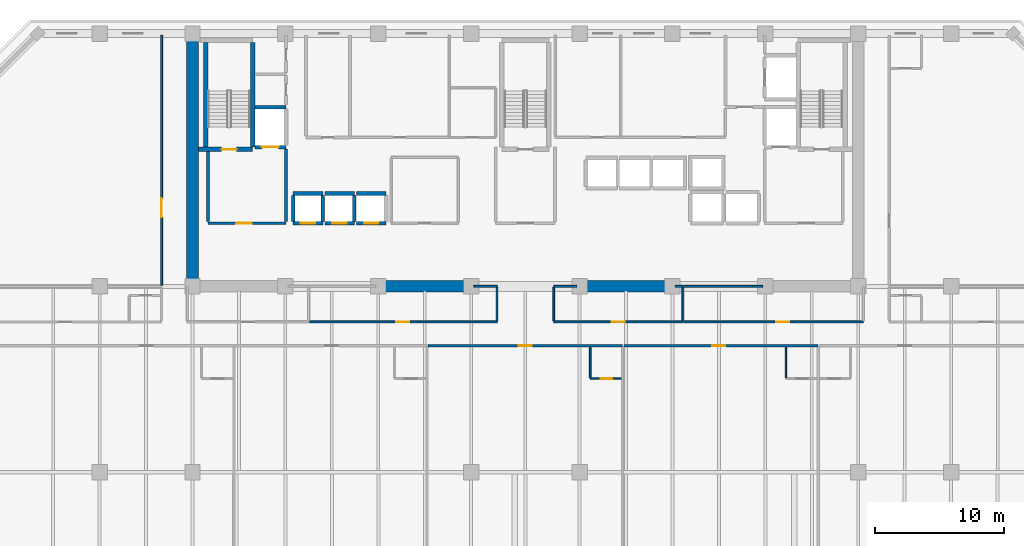
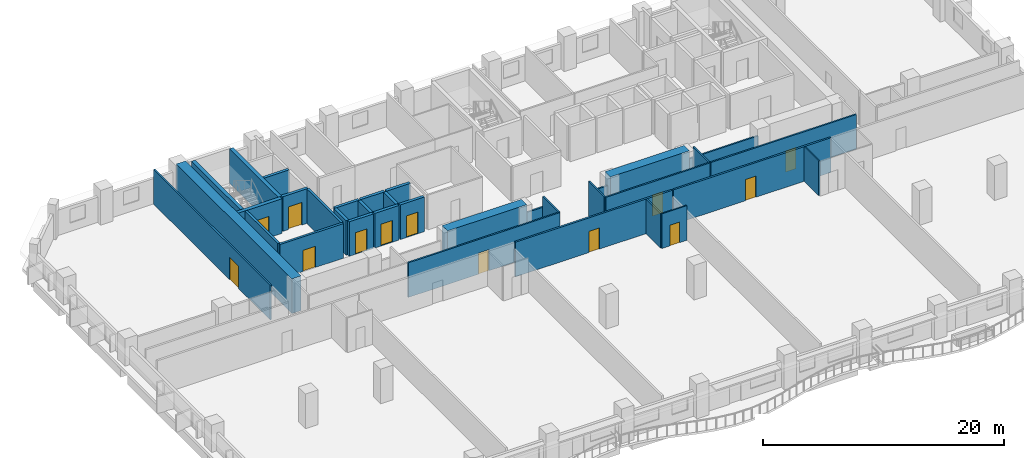
# One storey, part 6 of 14: 36 walls, 13 doors, 13 openings.
"""IFC4 building model written with IfcOpenShell, lengths in metres."""

from ifc_helpers import new_model, si_unit, direction, frame, frame_2d, origin, place, context, subcontext, project, spatial, rectangle, extrude, material, layer, layer_set, type_object, element, fill, save


model = new_model("IFC4")

# Units and contexts
model_context = context("Model", 3, precision=1e-05, world=origin(), true_north=direction((0.0, 1.0)))
body_context = subcontext(model_context, "Body", "Model", "MODEL_VIEW")
ifc_project = project(units=[si_unit("LENGTHUNIT", "METRE"), si_unit("AREAUNIT", "SQUARE_METRE"), si_unit("VOLUMEUNIT", "CUBIC_METRE"), si_unit("PLANEANGLEUNIT", "RADIAN"), si_unit("MASSUNIT", "GRAM", prefix="KILO")], contexts=[model_context])

# Site, building, storey
site_placement = place(None, origin())
site = spatial("IfcSite", under=ifc_project, at=site_placement, CompositionType="ELEMENT")
building_placement = place(site_placement, origin())
building = spatial("IfcBuilding", under=site, at=building_placement, Name="Kaelvorn Grand Hotel", CompositionType="ELEMENT")
storey_placement = place(building_placement, frame((0.0, 0.0, 123.050048828125)))
storey = spatial("IfcBuildingStorey", under=building, at=storey_placement, Name="L29", CompositionType="ELEMENT", Elevation=123.050048828125)

# Walls
ifc_material_1 = material(Name="Concrete C60/75", Category="concrete")
ifc_layer_1 = layer(ifc_material_1, 0.89990234375)
ifc_layer_set_1 = layer_set([ifc_layer_1], Name="Concrete C60/75")
wall_type_1 = type_object("IfcWallType", Name="WL-CORE-900-C60", PredefinedType="SHEAR", material=ifc_layer_set_1)
wall_1_placement = place(storey_placement, frame((16.199951171875, 29.39990234375, 0.0), z_axis=(0.0, 0.0, 1.0), x_axis=(0.0, 1.0, 0.0)))
element("IfcWall", 1, at=wall_1_placement, inside=storey, type_object=wall_type_1, Name="L29 Rear-Core West Shear Wall", PredefinedType="SHEAR", context=body_context, shape_type="SweptSolid", body=[
    extrude(rectangle(XDim=19.2001953125, YDim=0.89990234375, at=frame_2d((9.60009765625, 0.0))), origin(), (0.0, 0.0, 1.0), 3.510009765625),
])
for number, where, z_axis, x_axis, name in (
    (2, (30.39990234375, 29.39990234375, 0.0), (0.0, 0.0, 1.0), (1.0, 0.0, 0.0), "L29 Rear-Core Coupled Shear Pier S2"),
    (3, (46.0, 29.39990234375, 0.0), (0.0, 0.0, 1.0), (1.0, 0.0, 0.0), "L29 Rear-Core Coupled Shear Pier S3"),
):
    element("IfcWall", number, at=place(storey_placement, frame(where, z_axis=z_axis, x_axis=x_axis)), inside=storey, type_object=wall_type_1, Name=name, PredefinedType="SHEAR", context=body_context, shape_type="SweptSolid", body=[
        extrude(rectangle(XDim=7.60009765625, YDim=0.89990234375, at=frame_2d((3.800048828125, 0.0))), origin(), (0.0, 0.0, 1.0), 3.510009765625),
    ])

# Wall, opening, door
ifc_material_2 = material(Name="Moisture-Resistant Tile & Stud Board")
ifc_layer_2 = layer(ifc_material_2, 0.125)
ifc_layer_set_2 = layer_set([ifc_layer_2], Name="Moisture-Resistant Tile & Stud Board")
wall_type_2 = type_object("IfcWallType", Name="WL-PART-125-WET", PredefinedType="PARTITIONING", material=ifc_layer_set_2)
wall_2_placement = place(storey_placement, frame((47.030029296875, 22.25, 0.0), z_axis=(0.0, 0.0, 1.0), x_axis=(1.0, 0.0, 0.0)))
wall_2 = element("IfcWall", 4, at=wall_2_placement, inside=storey, type_object=wall_type_2, Name="L29 En-suite Bathroom L29-03 S Partition", PredefinedType="PARTITIONING", context=body_context, shape_type="SweptSolid", body=[
    extrude(rectangle(XDim=2.405029296875, YDim=0.125, at=frame_2d((1.20263671875, 0.0))), origin(), (0.0, 0.0, 1.0), 3.510009765625),
])
opening_1_placement = place(wall_2_placement, frame((0.800048828125, 0.0, 0.0)))
opening_1 = element("IfcOpeningElement", 5, at=opening_1_placement, cuts=wall_2, Name="Opening DI4", PredefinedType="OPENING", context=body_context, shape_type="SweptSolid", body=[
    extrude(rectangle(XDim=0.89990234375, YDim=2.10009765625, at=frame_2d((0.449951171875, 1.050048828125))), frame((0.0, 0.072509765625, 0.0), z_axis=(0.0, -1.0, 0.0), x_axis=(1.0, 0.0, 0.0)), (0.0, 0.0, 1.0), 0.14501953125),
])
ifc_material_3 = material(Name="Timber Veneer Leaf", Category="wood")
door_type_1 = type_object("IfcDoorType", Name="DR-INT-BATH-900x2100", OperationType="NOTDEFINED", PredefinedType="DOOR", material=ifc_material_3)
door_1_placement = place(opening_1_placement, origin())
door_1 = element("IfcDoor", 6, at=door_1_placement, inside=storey, type_object=door_type_1, Name="L29 En-suite Bathroom L29-03 Door", OperationType="SINGLE_SWING_LEFT", OverallHeight=2.10009765625, OverallWidth=0.89990234375, PredefinedType="DOOR", context=body_context, shape_type="SweptSolid", body=[
    extrude(rectangle(XDim=0.89990234375, YDim=2.10009765625, at=frame_2d((0.449951171875, 1.050048828125))), frame((0.0, 0.02490234375, 0.0), z_axis=(0.0, -1.0, 0.0), x_axis=(1.0, 0.0, 0.0)), (0.0, 0.0, 1.0), 0.050048828125),
])
fill(opening_1, door_1)

# Walls
for number, where, z_axis, x_axis, name in (
    (7, (47.030029296875, 22.3173828125, 0.0), (0.0, 0.0, 1.0), (0.0, 1.0, 0.0), "L29 En-suite Bathroom L29-03 W Partition"),
    (8, (62.190673828125, 22.3173828125, 0.0), (0.0, 0.0, 1.0), (0.0, 1.0, 0.0), "L29 En-suite Bathroom L29-04 W Partition"),
):
    element("IfcWall", number, at=place(storey_placement, frame(where, z_axis=z_axis, x_axis=x_axis)), inside=storey, type_object=wall_type_2, Name=name, PredefinedType="PARTITIONING", context=body_context, shape_type="SweptSolid", body=[
        extrude(rectangle(XDim=2.3876953125, YDim=0.125, at=frame_2d((1.19384765625, 0.0))), origin(), (0.0, 0.0, 1.0), 3.510009765625),
    ])

# Wall, opening, door
ifc_material_4 = material(Name="Acoustic Gypsum & Stud Partition")
ifc_layer_3 = layer(ifc_material_4, 0.14990234375)
ifc_layer_set_3 = layer_set([ifc_layer_3], Name="Acoustic Gypsum & Stud Partition")
wall_type_3 = type_object("IfcWallType", Name="WL-PART-150-EI60", PredefinedType="PARTITIONING", material=ifc_layer_set_3)
wall_3_placement = place(storey_placement, frame((25.280029296875, 26.64990234375, 0.0), z_axis=(0.0, 0.0, 1.0), x_axis=(1.0, 0.0, 0.0)))
wall_3 = element("IfcWall", 9, at=wall_3_placement, inside=storey, type_object=wall_type_3, Name="L29 Banquet Prep Kitchen S Partition", PredefinedType="PARTITIONING", context=body_context, shape_type="SweptSolid", body=[
    extrude(rectangle(XDim=14.52001953125, YDim=0.14990234375, at=frame_2d((7.260009765625, 0.0))), origin(), (0.0, 0.0, 1.0), 3.510009765625),
])
opening_2_placement = place(wall_3_placement, frame((6.719970703125, 0.0, 0.0)))
opening_2 = element("IfcOpeningElement", 10, at=opening_2_placement, cuts=wall_3, Name="Opening DI3", PredefinedType="OPENING", context=body_context, shape_type="SweptSolid", body=[
    extrude(rectangle(XDim=1.0, YDim=2.14990234375, at=frame_2d((0.5, 1.074951171875))), frame((0.0, 0.0849609375, 0.0), z_axis=(0.0, -1.0, 0.0), x_axis=(1.0, 0.0, 0.0)), (0.0, 0.0, 1.0), 0.169921875),
])
ifc_material_5 = material(Name="Timber Veneer Fire Leaf", Category="wood")
door_type_2 = type_object("IfcDoorType", Name="DR-INT-GUEST-1000x2150", OperationType="NOTDEFINED", PredefinedType="DOOR", material=ifc_material_5)
door_2_placement = place(opening_2_placement, origin())
door_2 = element("IfcDoor", 11, at=door_2_placement, inside=storey, type_object=door_type_2, Name="L29 Banquet Prep Kitchen Door", OperationType="SINGLE_SWING_LEFT", OverallHeight=2.14990234375, OverallWidth=1.0, PredefinedType="DOOR", context=body_context, shape_type="SweptSolid", body=[
    extrude(rectangle(XDim=1.0, YDim=2.14990234375, at=frame_2d((0.5, 1.074951171875))), frame((0.0, 0.02490234375, 0.0), z_axis=(0.0, -1.0, 0.0), x_axis=(1.0, 0.0, 0.0)), (0.0, 0.0, 1.0), 0.050048828125),
])
fill(opening_2, door_2)

# Walls
wall_4_placement = place(storey_placement, frame((38.010009765625, 29.39990234375, 0.0), z_axis=(0.0, 0.0, 1.0), x_axis=(1.0, 0.0, 0.0)))
element("IfcWall", 12, at=wall_4_placement, inside=storey, type_object=wall_type_3, Name="L29 Banquet Prep Kitchen N Partition (2)", PredefinedType="PARTITIONING", context=body_context, shape_type="SweptSolid", body=[
    extrude(rectangle(XDim=1.7900390625, YDim=0.14990234375, at=frame_2d((0.89501953125, 0.0))), origin(), (0.0, 0.0, 1.0), 2.409912109375),
])
wall_5_placement = place(storey_placement, frame((39.800048828125, 26.72998046875, 0.0), z_axis=(0.0, 0.0, 1.0), x_axis=(0.0, 1.0, 0.0)))
element("IfcWall", 13, at=wall_5_placement, inside=storey, type_object=wall_type_3, Name="L29 Banquet Prep Kitchen E Partition", PredefinedType="PARTITIONING", context=body_context, shape_type="SweptSolid", body=[
    extrude(rectangle(XDim=2.590087890625, YDim=0.14990234375, at=frame_2d((1.294921875, 0.0))), origin(), (0.0, 0.0, 1.0), 3.510009765625),
])

# Wall, opening, door
wall_6_placement = place(storey_placement, frame((44.199951171875, 26.64990234375, 0.0), z_axis=(0.0, 0.0, 1.0), x_axis=(1.0, 0.0, 0.0)))
wall_6 = element("IfcWall", 14, at=wall_6_placement, inside=storey, type_object=wall_type_3, Name="L29 Board Meeting Room S Partition", PredefinedType="PARTITIONING", context=body_context, shape_type="SweptSolid", body=[
    extrude(rectangle(XDim=10.0, YDim=0.14990234375, at=frame_2d((5.0, 0.0))), origin(), (0.0, 0.0, 1.0), 3.510009765625),
])
opening_3_placement = place(wall_6_placement, frame((4.5, 0.0, 0.0)))
opening_3 = element("IfcOpeningElement", 15, at=opening_3_placement, cuts=wall_6, Name="Opening DI3", PredefinedType="OPENING", context=body_context, shape_type="SweptSolid", body=[
    extrude(rectangle(XDim=1.0, YDim=2.14990234375, at=frame_2d((0.5, 1.074951171875))), frame((0.0, 0.0849609375, 0.0), z_axis=(0.0, -1.0, 0.0), x_axis=(1.0, 0.0, 0.0)), (0.0, 0.0, 1.0), 0.169921875),
])
door_3_placement = place(opening_3_placement, origin())
door_3 = element("IfcDoor", 16, at=door_3_placement, inside=storey, type_object=door_type_2, Name="L29 Board Meeting Room Door", OperationType="SINGLE_SWING_RIGHT", OverallHeight=2.14990234375, OverallWidth=1.0, PredefinedType="DOOR", context=body_context, shape_type="SweptSolid", body=[
    extrude(rectangle(XDim=1.0, YDim=2.14990234375, at=frame_2d((0.5, 1.074951171875))), frame((0.0, 0.02490234375, 0.0), z_axis=(0.0, -1.0, 0.0), x_axis=(1.0, 0.0, 0.0)), (0.0, 0.0, 1.0), 0.050048828125),
])
fill(opening_3, door_3)

# Walls
wall_7_placement = place(storey_placement, frame((44.199951171875, 29.39990234375, 0.0), z_axis=(0.0, 0.0, 1.0), x_axis=(1.0, 0.0, 0.0)))
element("IfcWall", 17, at=wall_7_placement, inside=storey, type_object=wall_type_3, Name="L29 Board Meeting Room N Partition (1)", PredefinedType="PARTITIONING", context=body_context, shape_type="SweptSolid", body=[
    extrude(rectangle(XDim=1.7900390625, YDim=0.14990234375, at=frame_2d((0.89501953125, 0.0))), origin(), (0.0, 0.0, 1.0), 2.409912109375),
])
wall_8_placement = place(storey_placement, frame((53.610107421875, 29.39990234375, 0.0), z_axis=(0.0, 0.0, 1.0), x_axis=(1.0, 0.0, 0.0)))
element("IfcWall", 18, at=wall_8_placement, inside=storey, type_object=wall_type_3, Name="L29 Board Meeting Room N Partition (2)", PredefinedType="PARTITIONING", context=body_context, shape_type="SweptSolid", body=[
    extrude(rectangle(XDim=0.58984375, YDim=0.14990234375, at=frame_2d((0.294921875, 0.0))), origin(), (0.0, 0.0, 1.0), 2.409912109375),
])
for number, where, z_axis, x_axis, name in (
    (19, (44.199951171875, 26.72998046875, 0.0), (0.0, 0.0, 1.0), (0.0, 1.0, 0.0), "L29 Board Meeting Room W Partition"),
    (20, (54.199951171875, 26.72998046875, 0.0), (0.0, 0.0, 1.0), (0.0, 1.0, 0.0), "L29 Board Meeting Room E Partition"),
):
    element("IfcWall", number, at=place(storey_placement, frame(where, z_axis=z_axis, x_axis=x_axis)), inside=storey, type_object=wall_type_3, Name=name, PredefinedType="PARTITIONING", context=body_context, shape_type="SweptSolid", body=[
        extrude(rectangle(XDim=2.590087890625, YDim=0.14990234375, at=frame_2d((1.294921875, 0.0))), origin(), (0.0, 0.0, 1.0), 3.510009765625),
    ])

# Wall, opening, door
wall_9_placement = place(storey_placement, frame((54.280029296875, 26.64990234375, 0.0), z_axis=(0.0, 0.0, 1.0), x_axis=(1.0, 0.0, 0.0)))
wall_9 = element("IfcWall", 21, at=wall_9_placement, inside=storey, type_object=wall_type_3, Name="L29 Diplomatic Chancery Office S Partition", PredefinedType="PARTITIONING", context=body_context, shape_type="SweptSolid", body=[
    extrude(rectangle(XDim=13.919921875, YDim=0.14990234375, at=frame_2d((6.9599609375, 0.0))), origin(), (0.0, 0.0, 1.0), 3.510009765625),
])
opening_4_placement = place(wall_9_placement, frame((7.169921875, 0.0, 0.0)))
opening_4 = element("IfcOpeningElement", 22, at=opening_4_placement, cuts=wall_9, Name="Opening DI3", PredefinedType="OPENING", context=body_context, shape_type="SweptSolid", body=[
    extrude(rectangle(XDim=1.0, YDim=2.14990234375, at=frame_2d((0.5, 1.074951171875))), frame((0.0, 0.0849609375, 0.0), z_axis=(0.0, -1.0, 0.0), x_axis=(1.0, 0.0, 0.0)), (0.0, 0.0, 1.0), 0.169921875),
])
door_4_placement = place(opening_4_placement, origin())
door_4 = element("IfcDoor", 23, at=door_4_placement, inside=storey, type_object=door_type_2, Name="L29 Diplomatic Chancery Office Door", OperationType="SINGLE_SWING_LEFT", OverallHeight=2.14990234375, OverallWidth=1.0, PredefinedType="DOOR", context=body_context, shape_type="SweptSolid", body=[
    extrude(rectangle(XDim=1.0, YDim=2.14990234375, at=frame_2d((0.5, 1.074951171875))), frame((0.0, 0.02490234375, 0.0), z_axis=(0.0, -1.0, 0.0), x_axis=(1.0, 0.0, 0.0)), (0.0, 0.0, 1.0), 0.050048828125),
])
fill(opening_4, door_4)

# Wall
wall_10_placement = place(storey_placement, frame((54.280029296875, 29.39990234375, 0.0), z_axis=(0.0, 0.0, 1.0), x_axis=(1.0, 0.0, 0.0)))
element("IfcWall", 24, at=wall_10_placement, inside=storey, type_object=wall_type_3, Name="L29 Diplomatic Chancery Office N Partition", PredefinedType="PARTITIONING", context=body_context, shape_type="SweptSolid", body=[
    extrude(rectangle(XDim=6.10986328125, YDim=0.14990234375, at=frame_2d((3.054931640625, 0.0))), origin(), (0.0, 0.0, 1.0), 2.409912109375),
])

# Wall, opening, door
wall_11_placement = place(storey_placement, frame((13.800048828125, 29.4951171875, 0.0), z_axis=(0.0, 0.0, 1.0), x_axis=(0.0, 1.0, 0.0)))
wall_11 = element("IfcWall", 25, at=wall_11_placement, inside=storey, type_object=wall_type_3, Name="L29 North-West Board Meeting Room E Partition", PredefinedType="PARTITIONING", context=body_context, shape_type="SweptSolid", body=[
    extrude(rectangle(XDim=19.35498046875, YDim=0.14990234375, at=frame_2d((9.677490234375, 0.0))), origin(), (0.0, 0.0, 1.0), 3.510009765625),
])
opening_5_placement = place(wall_11_placement, frame((5.2548828125, 0.0, 0.0)))
opening_5 = element("IfcOpeningElement", 26, at=opening_5_placement, cuts=wall_11, Name="Opening DI5", PredefinedType="OPENING", context=body_context, shape_type="SweptSolid", body=[
    extrude(rectangle(XDim=1.5, YDim=2.25, at=frame_2d((0.75, 1.125))), frame((0.0, 0.0849609375, 0.0), z_axis=(0.0, -1.0, 0.0), x_axis=(1.0, 0.0, 0.0)), (0.0, 0.0, 1.0), 0.169921875),
])
door_type_3 = type_object("IfcDoorType", Name="DR-INT-SALON-1500x2250", OperationType="DOUBLE_DOOR_SINGLE_SWING", PredefinedType="DOOR", material=ifc_material_5)
door_5_placement = place(opening_5_placement, origin())
door_5 = element("IfcDoor", 27, at=door_5_placement, inside=storey, type_object=door_type_3, Name="L29 North-West Board Meeting Room Door", OperationType="DOUBLE_DOOR_SINGLE_SWING", OverallHeight=2.25, OverallWidth=1.5, PredefinedType="DOOR", context=body_context, shape_type="SweptSolid", body=[
    extrude(rectangle(XDim=1.5, YDim=2.25, at=frame_2d((0.75, 1.125))), frame((0.0, 0.02490234375, 0.0), z_axis=(0.0, -1.0, 0.0), x_axis=(1.0, 0.0, 0.0)), (0.0, 0.0, 1.0), 0.050048828125),
])
fill(opening_5, door_5)

ifc_layer_4 = layer(ifc_material_4, 0.179931640625)
ifc_layer_set_4 = layer_set([ifc_layer_4], Name="Acoustic Gypsum & Stud Partition")
wall_type_4 = type_object("IfcWallType", Name="WL-PART-180-EI60", PredefinedType="PARTITIONING", material=ifc_layer_set_4)
wall_12_placement = place(storey_placement, frame((34.464599609375, 24.800048828125, 0.0), z_axis=(0.0, 0.0, 1.0), x_axis=(1.0, 0.0, 0.0)))
wall_12 = element("IfcWall", 28, at=wall_12_placement, inside=storey, type_object=wall_type_4, Name="L29 Presidential Sky Suite L29-03 N Partition", PredefinedType="PARTITIONING", context=body_context, shape_type="SweptSolid", body=[
    extrude(rectangle(XDim=15.0654296875, YDim=0.179931640625, at=frame_2d((7.53271484375, 0.0))), origin(), (0.0, 0.0, 1.0), 3.510009765625),
])
opening_6_placement = place(wall_12_placement, frame((7.035400390625, 0.0, 0.0)))
opening_6 = element("IfcOpeningElement", 29, at=opening_6_placement, cuts=wall_12, Name="Opening DI3", PredefinedType="OPENING", context=body_context, shape_type="SweptSolid", body=[
    extrude(rectangle(XDim=1.0, YDim=2.14990234375, at=frame_2d((0.5, 1.074951171875))), frame((0.0, 0.10009765625, 0.0), z_axis=(0.0, -1.0, 0.0), x_axis=(1.0, 0.0, 0.0)), (0.0, 0.0, 1.0), 0.199951171875),
])
door_6_placement = place(opening_6_placement, origin())
door_6 = element("IfcDoor", 30, at=door_6_placement, inside=storey, type_object=door_type_2, Name="L29 Presidential Sky Suite L29-03 Door", OperationType="SINGLE_SWING_RIGHT", OverallHeight=2.14990234375, OverallWidth=1.0, PredefinedType="DOOR", context=body_context, shape_type="SweptSolid", body=[
    extrude(rectangle(XDim=1.0, YDim=2.14990234375, at=frame_2d((0.5, 1.074951171875))), frame((0.0, 0.02490234375, 0.0), z_axis=(0.0, -1.0, 0.0), x_axis=(1.0, 0.0, 0.0)), (0.0, 0.0, 1.0), 0.050048828125),
])
fill(opening_6, door_6)

wall_13_placement = place(storey_placement, frame((49.625, 24.800048828125, 0.0), z_axis=(0.0, 0.0, 1.0), x_axis=(1.0, 0.0, 0.0)))
wall_13 = element("IfcWall", 31, at=wall_13_placement, inside=storey, type_object=wall_type_4, Name="L29 Presidential Sky Suite L29-04 N Partition", PredefinedType="PARTITIONING", context=body_context, shape_type="SweptSolid", body=[
    extrude(rectangle(XDim=15.065673828125, YDim=0.179931640625, at=frame_2d((7.53271484375, 0.0))), origin(), (0.0, 0.0, 1.0), 3.510009765625),
])
opening_7_placement = place(wall_13_placement, frame((6.875, 0.0, 0.0)))
opening_7 = element("IfcOpeningElement", 32, at=opening_7_placement, cuts=wall_13, Name="Opening DI3", PredefinedType="OPENING", context=body_context, shape_type="SweptSolid", body=[
    extrude(rectangle(XDim=1.0, YDim=2.14990234375, at=frame_2d((0.5, 1.074951171875))), frame((0.0, 0.10009765625, 0.0), z_axis=(0.0, -1.0, 0.0), x_axis=(1.0, 0.0, 0.0)), (0.0, 0.0, 1.0), 0.199951171875),
])
door_7_placement = place(opening_7_placement, origin())
door_7 = element("IfcDoor", 33, at=door_7_placement, inside=storey, type_object=door_type_2, Name="L29 Presidential Sky Suite L29-04 Door", OperationType="SINGLE_SWING_RIGHT", OverallHeight=2.14990234375, OverallWidth=1.0, PredefinedType="DOOR", context=body_context, shape_type="SweptSolid", body=[
    extrude(rectangle(XDim=1.0, YDim=2.14990234375, at=frame_2d((0.5, 1.074951171875))), frame((0.0, 0.02490234375, 0.0), z_axis=(0.0, -1.0, 0.0), x_axis=(1.0, 0.0, 0.0)), (0.0, 0.0, 1.0), 0.050048828125),
])
fill(opening_7, door_7)

ifc_material_6 = material(Name="Concrete C40/50", Category="concrete")
ifc_layer_5 = layer(ifc_material_6, 0.219970703125)
ifc_layer_set_5 = layer_set([ifc_layer_5], Name="Concrete C40/50")
wall_type_5 = type_object("IfcWallType", Name="WL-PART-220-EI120", PredefinedType="PARTITIONING", material=ifc_layer_set_5)
wall_14_placement = place(storey_placement, frame((17.39990234375, 34.300048828125, 0.0), z_axis=(0.0, 0.0, 1.0), x_axis=(1.0, 0.0, 0.0)))
wall_14 = element("IfcWall", 34, at=wall_14_placement, inside=storey, type_object=wall_type_5, Name="L29 Firefighting Lift Lobby 1 S Partition", PredefinedType="PARTITIONING", context=body_context, shape_type="SweptSolid", body=[
    extrude(rectangle(XDim=6.050048828125, YDim=0.219970703125, at=frame_2d((3.02490234375, 0.0))), origin(), (0.0, 0.0, 1.0), 3.510009765625),
])
opening_8_placement = place(wall_14_placement, frame((2.199951171875, 0.0, 0.0)))
opening_8 = element("IfcOpeningElement", 35, at=opening_8_placement, cuts=wall_14, Name="Opening DI2", PredefinedType="OPENING", context=body_context, shape_type="SweptSolid", body=[
    extrude(rectangle(XDim=1.199951171875, YDim=2.14990234375, at=frame_2d((0.60009765625, 1.074951171875))), frame((0.0, 0.1201171875, 0.0), z_axis=(0.0, -1.0, 0.0), x_axis=(1.0, 0.0, 0.0)), (0.0, 0.0, 1.0), 0.239990234375),
])
door_type_4 = type_object("IfcDoorType", Name="DR-INT-FFLOB-1200x2150", OperationType="NOTDEFINED", PredefinedType="DOOR", material=ifc_material_5)
door_8_placement = place(opening_8_placement, origin())
door_8 = element("IfcDoor", 36, at=door_8_placement, inside=storey, type_object=door_type_4, Name="L29 Firefighting Lift Lobby 1 Door", OperationType="SINGLE_SWING_RIGHT", OverallHeight=2.14990234375, OverallWidth=1.199951171875, PredefinedType="DOOR", context=body_context, shape_type="SweptSolid", body=[
    extrude(rectangle(XDim=1.199951171875, YDim=2.14990234375, at=frame_2d((0.60009765625, 1.074951171875))), frame((0.0, 0.02490234375, 0.0), z_axis=(0.0, -1.0, 0.0), x_axis=(1.0, 0.0, 0.0)), (0.0, 0.0, 1.0), 0.050048828125),
])
fill(opening_8, door_8)

# Walls
wall_15_placement = place(storey_placement, frame((17.39990234375, 34.4150390625, 0.0), z_axis=(0.0, 0.0, 1.0), x_axis=(0.0, 1.0, 0.0)))
element("IfcWall", 37, at=wall_15_placement, inside=storey, type_object=wall_type_5, Name="L29 Firefighting Lift Lobby 1 W Partition", PredefinedType="PARTITIONING", context=body_context, shape_type="SweptSolid", body=[
    extrude(rectangle(XDim=5.429931640625, YDim=0.219970703125, at=frame_2d((2.71484375, 0.0))), origin(), (0.0, 0.0, 1.0), 3.510009765625),
])
wall_16_placement = place(storey_placement, frame((23.449951171875, 34.4150390625, 0.0), z_axis=(0.0, 0.0, 1.0), x_axis=(0.0, 1.0, 0.0)))
element("IfcWall", 38, at=wall_16_placement, inside=storey, type_object=wall_type_5, Name="L29 Firefighting Lift Lobby 1 E Partition", PredefinedType="PARTITIONING", context=body_context, shape_type="SweptSolid", body=[
    extrude(rectangle(XDim=5.639892578125, YDim=0.219970703125, at=frame_2d((2.81982421875, 0.0))), origin(), (0.0, 0.0, 1.0), 3.510009765625),
])

# Wall, opening, door
ifc_material_7 = material(Name="Concrete C50/60", Category="concrete")
ifc_layer_6 = layer(ifc_material_7, 0.280029296875)
ifc_layer_set_6 = layer_set([ifc_layer_6], Name="Concrete C50/60")
wall_type_6 = type_object("IfcWallType", Name="WL-SHAFT-280-C50", PredefinedType="SHEAR", material=ifc_layer_set_6)
wall_17_placement = place(storey_placement, frame((24.0, 34.300048828125, 0.0), z_axis=(0.0, 0.0, 1.0), x_axis=(1.0, 0.0, 0.0)))
wall_17 = element("IfcWall", 39, at=wall_17_placement, inside=storey, type_object=wall_type_6, Name="L29 Lift PL-L1 Shaft South Wall", PredefinedType="SHEAR", context=body_context, shape_type="SweptSolid", body=[
    extrude(rectangle(XDim=2.300048828125, YDim=0.280029296875, at=frame_2d((1.14990234375, 0.0))), origin(), (0.0, 0.0, 1.0), 3.510009765625),
])
opening_9_placement = place(wall_17_placement, frame((0.60009765625, 0.0, 0.0)))
opening_9 = element("IfcOpeningElement", 40, at=opening_9_placement, cuts=wall_17, Name="Opening LD-PL-L1", PredefinedType="OPENING", context=body_context, shape_type="SweptSolid", body=[
    extrude(rectangle(XDim=1.10009765625, YDim=2.199951171875, at=frame_2d((0.550048828125, 1.10009765625))), frame((0.0, 0.14990234375, 0.0), z_axis=(0.0, -1.0, 0.0), x_axis=(1.0, 0.0, 0.0)), (0.0, 0.0, 1.0), 0.300048828125),
])
ifc_material_8 = material(Name="Stainless Steel", Category="steel")
door_type_5 = type_object("IfcDoorType", Name="DR-LIFT-PASS-1100x2200", OperationType="DOUBLE_DOOR_SLIDING", PredefinedType="DOOR", material=ifc_material_8)
door_9_placement = place(opening_9_placement, origin())
door_9 = element("IfcDoor", 41, at=door_9_placement, inside=storey, type_object=door_type_5, Name="L29 Lift PL-L1 Sliding Landing Door LD-PL-L1", OperationType="DOUBLE_DOOR_SLIDING", OverallHeight=2.199951171875, OverallWidth=1.10009765625, PredefinedType="DOOR", context=body_context, shape_type="SweptSolid", body=[
    extrude(rectangle(XDim=1.10009765625, YDim=2.199951171875, at=frame_2d((0.550048828125, 1.10009765625))), frame((0.0, 0.02490234375, 0.0), z_axis=(0.0, -1.0, 0.0), x_axis=(1.0, 0.0, 0.0)), (0.0, 0.0, 1.0), 0.050048828125),
])
fill(opening_9, door_9)

# Walls
wall_18_placement = place(storey_placement, frame((24.0, 36.60009765625, 0.0), z_axis=(0.0, 0.0, 1.0), x_axis=(1.0, 0.0, 0.0)))
element("IfcWall", 42, at=wall_18_placement, inside=storey, type_object=wall_type_6, Name="L29 Lift PL-L1 Shaft North Wall", PredefinedType="SHEAR", context=body_context, shape_type="SweptSolid", body=[
    extrude(rectangle(XDim=2.300048828125, YDim=0.280029296875, at=frame_2d((1.14990234375, 0.0))), origin(), (0.0, 0.0, 1.0), 3.510009765625),
])
for number, where, z_axis, x_axis, name in (
    (43, (24.0, 34.445068359375, 0.0), (0.0, 0.0, 1.0), (0.0, 1.0, 0.0), "L29 Lift PL-L1 Shaft West Wall"),
    (44, (26.300048828125, 34.445068359375, 0.0), (0.0, 0.0, 1.0), (0.0, 1.0, 0.0), "L29 Lift PL-L1 Shaft East Wall"),
):
    element("IfcWall", number, at=place(storey_placement, frame(where, z_axis=z_axis, x_axis=x_axis)), inside=storey, type_object=wall_type_6, Name=name, PredefinedType="SHEAR", context=body_context, shape_type="SweptSolid", body=[
        extrude(rectangle(XDim=2.010009765625, YDim=0.280029296875, at=frame_2d((1.0048828125, 0.0))), origin(), (0.0, 0.0, 1.0), 3.510009765625),
    ])

# Wall, opening, door
wall_19_placement = place(storey_placement, frame((26.449951171875, 34.300048828125, 0.0), z_axis=(0.0, 0.0, 1.0), x_axis=(1.0, 0.0, 0.0)))
wall_19 = element("IfcWall", 45, at=wall_19_placement, inside=storey, type_object=wall_type_6, Name="L29 Lift PL-L2 Shaft South Wall", PredefinedType="SHEAR", context=body_context, shape_type="SweptSolid", body=[
    extrude(rectangle(XDim=2.300048828125, YDim=0.280029296875, at=frame_2d((1.14990234375, 0.0))), origin(), (0.0, 0.0, 1.0), 3.510009765625),
])
opening_10_placement = place(wall_19_placement, frame((0.60009765625, 0.0, 0.0)))
opening_10 = element("IfcOpeningElement", 46, at=opening_10_placement, cuts=wall_19, Name="Opening LD-PL-L2", PredefinedType="OPENING", context=body_context, shape_type="SweptSolid", body=[
    extrude(rectangle(XDim=1.10009765625, YDim=2.199951171875, at=frame_2d((0.550048828125, 1.10009765625))), frame((0.0, 0.14990234375, 0.0), z_axis=(0.0, -1.0, 0.0), x_axis=(1.0, 0.0, 0.0)), (0.0, 0.0, 1.0), 0.300048828125),
])
door_10_placement = place(opening_10_placement, origin())
door_10 = element("IfcDoor", 47, at=door_10_placement, inside=storey, type_object=door_type_5, Name="L29 Lift PL-L2 Sliding Landing Door LD-PL-L2", OperationType="DOUBLE_DOOR_SLIDING", OverallHeight=2.199951171875, OverallWidth=1.10009765625, PredefinedType="DOOR", context=body_context, shape_type="SweptSolid", body=[
    extrude(rectangle(XDim=1.10009765625, YDim=2.199951171875, at=frame_2d((0.550048828125, 1.10009765625))), frame((0.0, 0.02490234375, 0.0), z_axis=(0.0, -1.0, 0.0), x_axis=(1.0, 0.0, 0.0)), (0.0, 0.0, 1.0), 0.050048828125),
])
fill(opening_10, door_10)

# Walls
wall_20_placement = place(storey_placement, frame((26.449951171875, 36.60009765625, 0.0), z_axis=(0.0, 0.0, 1.0), x_axis=(1.0, 0.0, 0.0)))
element("IfcWall", 48, at=wall_20_placement, inside=storey, type_object=wall_type_6, Name="L29 Lift PL-L2 Shaft North Wall", PredefinedType="SHEAR", context=body_context, shape_type="SweptSolid", body=[
    extrude(rectangle(XDim=2.300048828125, YDim=0.280029296875, at=frame_2d((1.14990234375, 0.0))), origin(), (0.0, 0.0, 1.0), 3.510009765625),
])
wall_21_placement = place(storey_placement, frame((28.75, 34.445068359375, 0.0), z_axis=(0.0, 0.0, 1.0), x_axis=(0.0, 1.0, 0.0)))
element("IfcWall", 49, at=wall_21_placement, inside=storey, type_object=wall_type_6, Name="L29 Lift PL-L2 Shaft East Wall", PredefinedType="SHEAR", context=body_context, shape_type="SweptSolid", body=[
    extrude(rectangle(XDim=2.010009765625, YDim=0.280029296875, at=frame_2d((1.0048828125, 0.0))), origin(), (0.0, 0.0, 1.0), 3.510009765625),
])

# Wall, opening, door
wall_22_placement = place(storey_placement, frame((28.89990234375, 34.300048828125, 0.0), z_axis=(0.0, 0.0, 1.0), x_axis=(1.0, 0.0, 0.0)))
wall_22 = element("IfcWall", 50, at=wall_22_placement, inside=storey, type_object=wall_type_6, Name="L29 Lift PL-L3 Shaft South Wall", PredefinedType="SHEAR", context=body_context, shape_type="SweptSolid", body=[
    extrude(rectangle(XDim=2.300048828125, YDim=0.280029296875, at=frame_2d((1.14990234375, 0.0))), origin(), (0.0, 0.0, 1.0), 3.510009765625),
])
opening_11_placement = place(wall_22_placement, frame((0.60009765625, 0.0, 0.0)))
opening_11 = element("IfcOpeningElement", 51, at=opening_11_placement, cuts=wall_22, Name="Opening LD-PL-L3", PredefinedType="OPENING", context=body_context, shape_type="SweptSolid", body=[
    extrude(rectangle(XDim=1.10009765625, YDim=2.199951171875, at=frame_2d((0.550048828125, 1.10009765625))), frame((0.0, 0.14990234375, 0.0), z_axis=(0.0, -1.0, 0.0), x_axis=(1.0, 0.0, 0.0)), (0.0, 0.0, 1.0), 0.300048828125),
])
door_11_placement = place(opening_11_placement, origin())
door_11 = element("IfcDoor", 52, at=door_11_placement, inside=storey, type_object=door_type_5, Name="L29 Lift PL-L3 Sliding Landing Door LD-PL-L3", OperationType="DOUBLE_DOOR_SLIDING", OverallHeight=2.199951171875, OverallWidth=1.10009765625, PredefinedType="DOOR", context=body_context, shape_type="SweptSolid", body=[
    extrude(rectangle(XDim=1.10009765625, YDim=2.199951171875, at=frame_2d((0.550048828125, 1.10009765625))), frame((0.0, 0.02490234375, 0.0), z_axis=(0.0, -1.0, 0.0), x_axis=(1.0, 0.0, 0.0)), (0.0, 0.0, 1.0), 0.050048828125),
])
fill(opening_11, door_11)

# Wall
wall_23_placement = place(storey_placement, frame((28.89990234375, 36.60009765625, 0.0), z_axis=(0.0, 0.0, 1.0), x_axis=(1.0, 0.0, 0.0)))
element("IfcWall", 53, at=wall_23_placement, inside=storey, type_object=wall_type_6, Name="L29 Lift PL-L3 Shaft North Wall", PredefinedType="SHEAR", context=body_context, shape_type="SweptSolid", body=[
    extrude(rectangle(XDim=2.300048828125, YDim=0.280029296875, at=frame_2d((1.14990234375, 0.0))), origin(), (0.0, 0.0, 1.0), 3.510009765625),
])

# Wall, opening, door
wall_24_placement = place(storey_placement, frame((21.034912109375, 40.199951171875, 0.0), z_axis=(0.0, 0.0, 1.0), x_axis=(1.0, 0.0, 0.0)))
wall_24 = element("IfcWall", 54, at=wall_24_placement, inside=storey, type_object=wall_type_6, Name="L29 Lift FFL1 Shaft South Wall", PredefinedType="SHEAR", context=body_context, shape_type="SweptSolid", body=[
    extrude(rectangle(XDim=2.4150390625, YDim=0.280029296875, at=frame_2d((1.20751953125, 0.0))), origin(), (0.0, 0.0, 1.0), 3.510009765625),
])
opening_12_placement = place(wall_24_placement, frame((0.5400390625, 0.0, 0.0)))
opening_12 = element("IfcOpeningElement", 55, at=opening_12_placement, cuts=wall_24, Name="Opening LD-FFL1", PredefinedType="OPENING", context=body_context, shape_type="SweptSolid", body=[
    extrude(rectangle(XDim=1.300048828125, YDim=2.300048828125, at=frame_2d((0.64990234375, 1.14990234375))), frame((0.0, 0.14990234375, 0.0), z_axis=(0.0, -1.0, 0.0), x_axis=(1.0, 0.0, 0.0)), (0.0, 0.0, 1.0), 0.300048828125),
])
door_type_6 = type_object("IfcDoorType", Name="DR-LIFT-SERV-1300x2300", OperationType="DOUBLE_DOOR_SLIDING", PredefinedType="DOOR", material=ifc_material_8)
door_12_placement = place(opening_12_placement, origin())
door_12 = element("IfcDoor", 56, at=door_12_placement, inside=storey, type_object=door_type_6, Name="L29 Lift FFL1 Sliding Landing Door LD-FFL1", OperationType="DOUBLE_DOOR_SLIDING", OverallHeight=2.300048828125, OverallWidth=1.300048828125, PredefinedType="DOOR", context=body_context, shape_type="SweptSolid", body=[
    extrude(rectangle(XDim=1.300048828125, YDim=2.300048828125, at=frame_2d((0.64990234375, 1.14990234375))), frame((0.0, 0.02490234375, 0.0), z_axis=(0.0, -1.0, 0.0), x_axis=(1.0, 0.0, 0.0)), (0.0, 0.0, 1.0), 0.050048828125),
])
fill(opening_12, door_12)

# Wall
wall_25_placement = place(storey_placement, frame((21.034912109375, 43.300048828125, 0.0), z_axis=(0.0, 0.0, 1.0), x_axis=(1.0, 0.0, 0.0)))
element("IfcWall", 57, at=wall_25_placement, inside=storey, type_object=wall_type_6, Name="L29 Lift FFL1 Shaft North Wall", PredefinedType="SHEAR", context=body_context, shape_type="SweptSolid", body=[
    extrude(rectangle(XDim=2.4150390625, YDim=0.280029296875, at=frame_2d((1.20751953125, 0.0))), origin(), (0.0, 0.0, 1.0), 3.510009765625),
])

# Wall, opening, door
ifc_layer_7 = layer(ifc_material_1, 0.35009765625)
ifc_layer_set_7 = layer_set([ifc_layer_7], Name="Concrete C60/75")
wall_type_7 = type_object("IfcWallType", Name="WL-SHAFT-350-C60", PredefinedType="SHEAR", material=ifc_layer_set_7)
wall_26_placement = place(storey_placement, frame((16.655029296875, 40.02490234375, 0.0), z_axis=(0.0, 0.0, 1.0), x_axis=(1.0, 0.0, 0.0)))
wall_26 = element("IfcWall", 58, at=wall_26_placement, inside=storey, type_object=wall_type_7, Name="L29 ST1 Stair Shaft South Wall", PredefinedType="SHEAR", context=body_context, shape_type="SweptSolid", body=[
    extrude(rectangle(XDim=4.199951171875, YDim=0.35009765625, at=frame_2d((2.10009765625, 0.0))), origin(), (0.0, 0.0, 1.0), 3.510009765625),
])
opening_13_placement = place(wall_26_placement, frame((1.81005859375, 0.0, 0.0)))
opening_13 = element("IfcOpeningElement", 59, at=opening_13_placement, cuts=wall_26, Name="Opening DI1", PredefinedType="OPENING", context=body_context, shape_type="SweptSolid", body=[
    extrude(rectangle(XDim=1.14990234375, YDim=2.14990234375, at=frame_2d((0.574951171875, 1.074951171875))), frame((0.0, 0.18505859375, 0.0), z_axis=(0.0, -1.0, 0.0), x_axis=(1.0, 0.0, 0.0)), (0.0, 0.0, 1.0), 0.3701171875),
])
door_type_7 = type_object("IfcDoorType", Name="DR-INT-STAIR-1150x2150", OperationType="NOTDEFINED", PredefinedType="DOOR", material=ifc_material_5)
door_13_placement = place(opening_13_placement, origin())
door_13 = element("IfcDoor", 60, at=door_13_placement, inside=storey, type_object=door_type_7, Name="L29 ST1 Exit Stair Fire Door", OperationType="SINGLE_SWING_LEFT", OverallHeight=2.14990234375, OverallWidth=1.14990234375, PredefinedType="DOOR", context=body_context, shape_type="SweptSolid", body=[
    extrude(rectangle(XDim=1.14990234375, YDim=2.14990234375, at=frame_2d((0.574951171875, 1.074951171875))), frame((0.0, 0.02490234375, 0.0), z_axis=(0.0, -1.0, 0.0), x_axis=(1.0, 0.0, 0.0)), (0.0, 0.0, 1.0), 0.050048828125),
])
fill(opening_13, door_13)

# Walls
for number, where, z_axis, x_axis, name in (
    (61, (17.22509765625, 40.205078125, 0.0), (0.0, 0.0, 1.0), (0.0, 1.0, 0.0), "L29 ST1 Stair Shaft West Wall"),
    (62, (20.85498046875, 40.205078125, 0.0), (0.0, 0.0, 1.0), (0.0, 1.0, 0.0), "L29 ST1 Stair Shaft East Wall"),
):
    element("IfcWall", number, at=place(storey_placement, frame(where, z_axis=z_axis, x_axis=x_axis)), inside=storey, type_object=wall_type_7, Name=name, PredefinedType="SHEAR", context=body_context, shape_type="SweptSolid", body=[
        extrude(rectangle(XDim=8.08984375, YDim=0.35009765625, at=frame_2d((4.044921875, 0.0))), origin(), (0.0, 0.0, 1.0), 3.510009765625),
    ])

save(model, "model.ifc")
